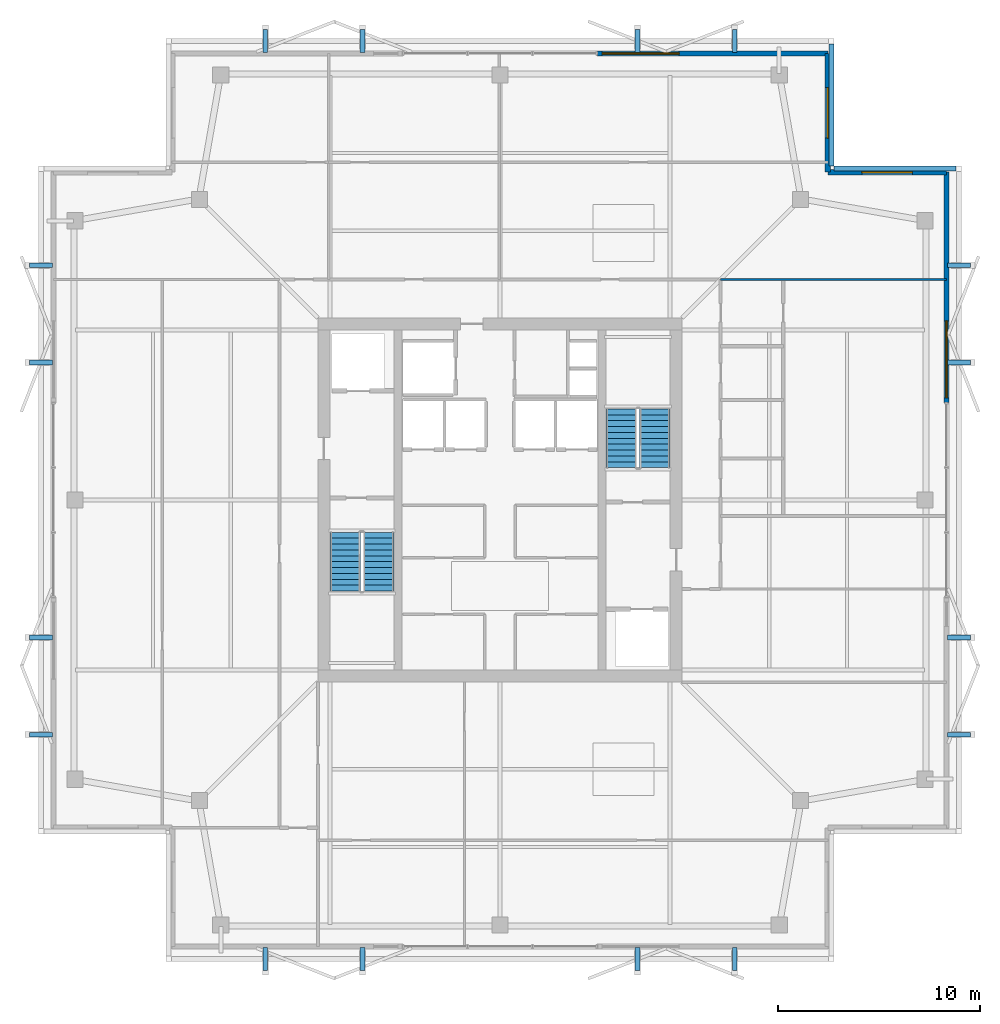
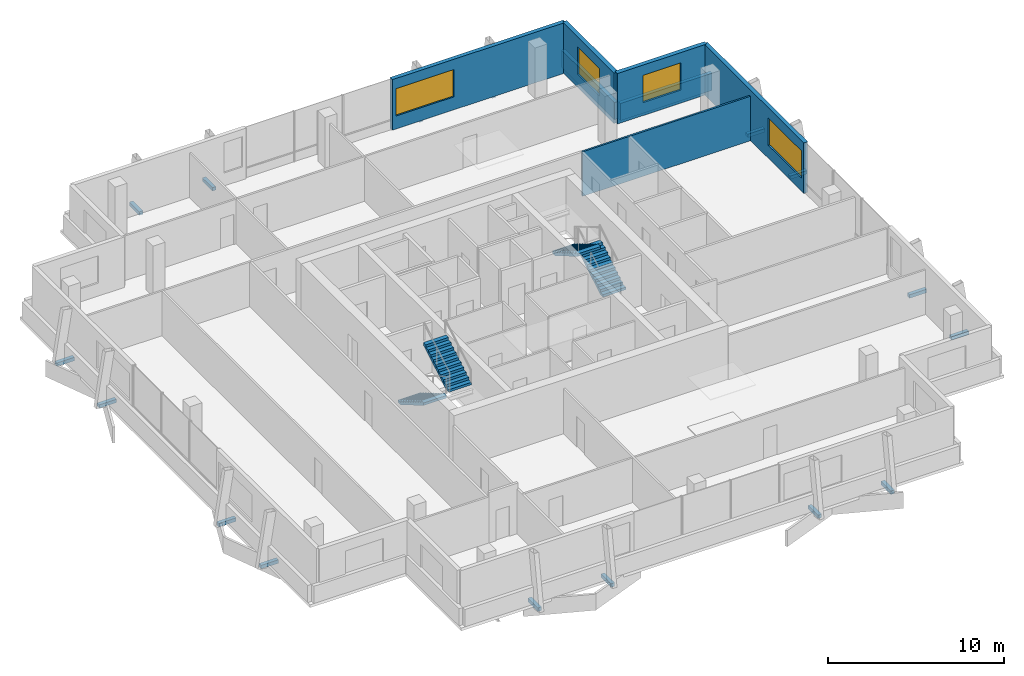
# One storey, part 16 of 17: 16 discrete accessories, 7 walls, 4 stair flights, 4 windows, 4 openings, 2 elements without a shape of their own.
"""IFC4 building model written with IfcOpenShell, lengths in metres."""

from ifc_helpers import new_model, si_unit, direction, frame, frame_2d, origin, origin_2d, place, context, subcontext, project, spatial, polyline, rectangle, outline, extrude, material, layer, layer_set, type_object, element, fill, aggregate, save


model = new_model("IFC4")

# Units and contexts
model_context = context("Model", 3, precision=1e-05, world=origin(), true_north=direction((0.0, 1.0)))
body_context = subcontext(model_context, "Body", "Model", "MODEL_VIEW")
ifc_project = project(units=[si_unit("LENGTHUNIT", "METRE"), si_unit("AREAUNIT", "SQUARE_METRE"), si_unit("VOLUMEUNIT", "CUBIC_METRE"), si_unit("PLANEANGLEUNIT", "RADIAN"), si_unit("MASSUNIT", "GRAM", prefix="KILO")], contexts=[model_context])

# Site, building, storey
site_placement = place(None, origin())
site = spatial("IfcSite", under=ifc_project, at=site_placement, CompositionType="ELEMENT")
building_placement = place(site_placement, origin())
building = spatial("IfcBuilding", under=site, at=building_placement, Name="Belovzor Exchange Tower", CompositionType="ELEMENT")
storey_placement = place(building_placement, frame((0.0, 0.0, 333.0)))
storey = spatial("IfcBuildingStorey", under=building, at=storey_placement, Name="L83", CompositionType="ELEMENT", Elevation=333.0)

# Wall
ifc_material_1 = material(Name="Acoustic Plasterboard on Galvanised Studs", Category="gypsum")
ifc_layer_1 = layer(ifc_material_1, 0.1201171875)
ifc_layer_set_1 = layer_set([ifc_layer_1], Name="Acoustic Plasterboard on Galvanised Studs")
wall_type_1 = type_object("IfcWallType", Name="Acoustic Double-Stud Partition Wall 120", PredefinedType="PARTITIONING", material=ifc_layer_set_1)
wall_1_placement = place(storey_placement, frame((39.699951171875, 39.699951171875, 0.0), z_axis=(0.0, 0.0, 1.0), x_axis=(1.0, 0.0, 0.0)))
element("IfcWall", 1, at=wall_1_placement, inside=storey, type_object=wall_type_1, Name="W-P120 Partition Wall W-L83-END-NE", PredefinedType="PARTITIONING", context=body_context, shape_type="SweptSolid", body=[
    extrude(rectangle(XDim=11.170166015625, YDim=0.1201171875, at=frame_2d((5.5849609375, 0.0))), origin(), (0.0, 0.0, 1.0), 3.094970703125),
])

# Wall, opening, window
ifc_material_2 = material(Name="Precast concrete C40/50", Category="concrete")
ifc_layer_2 = layer(ifc_material_2, 0.280029296875)
ifc_layer_set_2 = layer_set([ifc_layer_2], Name="Precast concrete C40/50")
wall_type_2 = type_object("IfcWallType", Name="Precast Concrete Notched Corner Frame Wall 280", PredefinedType="SOLIDWALL", material=ifc_layer_set_2)
wall_2_placement = place(storey_placement, frame((45.0, 50.8701171875, 0.0), z_axis=(0.0, 0.0, 1.0), x_axis=(0.0, -1.0, 0.0)))
wall_2 = element("IfcWall", 2, at=wall_2_placement, inside=storey, type_object=wall_type_2, Name="W-CRN280 Precast Concrete Notched Corner Frame Wall 280 L83", PredefinedType="SOLIDWALL", context=body_context, shape_type="SweptSolid", body=[
    extrude(rectangle(XDim=5.8701171875, YDim=0.280029296875, at=frame_2d((2.93505859375, 0.0))), origin(), (0.0, 0.0, 1.0), 3.510009765625),
])
opening_1_placement = place(wall_2_placement, frame((1.68505859375, 0.0, 0.89990234375)))
opening_1 = element("IfcOpeningElement", 3, at=opening_1_placement, cuts=wall_2, Name="Opening WN-CRN250", PredefinedType="OPENING", context=body_context, shape_type="SweptSolid", body=[
    extrude(rectangle(XDim=2.5, YDim=1.89990234375, at=frame_2d((1.25, 0.949951171875))), frame((0.0, 0.14990234375, 0.0), z_axis=(0.0, -1.0, 0.0), x_axis=(1.0, 0.0, 0.0)), (0.0, 0.0, 1.0), 0.300048828125),
])
ifc_material_3 = material(Name="Thermally Broken Aluminium and Triple Glazing", Category="aluminium")
window_type_1 = type_object("IfcWindowType", Name="Streamline Moderne Corner Wrap Ribbon Window 2500x1900", PartitioningType="SINGLE_PANEL", PredefinedType="WINDOW", material=ifc_material_3)
window_1_placement = place(opening_1_placement, origin())
window_1 = element("IfcWindow", 4, at=window_1_placement, inside=storey, type_object=window_type_1, Name="WN-CRN250 Streamline Moderne Corner Wrap Ribbon Window 2500x1900", OverallHeight=1.89990234375, OverallWidth=2.5, PartitioningType="SINGLE_PANEL", PredefinedType="WINDOW", context=body_context, shape_type="SweptSolid", body=[
    extrude(rectangle(XDim=2.5, YDim=1.89990234375, at=frame_2d((1.25, 0.949951171875))), frame((0.0, 0.030029296875, 0.0), z_axis=(0.0, -1.0, 0.0), x_axis=(1.0, 0.0, 0.0)), (0.0, 0.0, 1.0), 0.06005859375),
])
fill(opening_1, window_1)

wall_3_placement = place(storey_placement, frame((45.0, 45.0, 0.0), z_axis=(0.0, 0.0, 1.0), x_axis=(1.0, 0.0, 0.0)))
wall_3 = element("IfcWall", 5, at=wall_3_placement, inside=storey, type_object=wall_type_2, Name="W-CRN280 Precast Concrete Notched Corner Frame Wall 280 L83", PredefinedType="SOLIDWALL", context=body_context, shape_type="SweptSolid", body=[
    extrude(rectangle(XDim=5.8701171875, YDim=0.280029296875, at=frame_2d((2.93505859375, 0.0))), origin(), (0.0, 0.0, 1.0), 3.510009765625),
])
opening_2_placement = place(wall_3_placement, frame((1.68505859375, 0.0, 0.89990234375)))
opening_2 = element("IfcOpeningElement", 6, at=opening_2_placement, cuts=wall_3, Name="Opening WN-CRN250", PredefinedType="OPENING", context=body_context, shape_type="SweptSolid", body=[
    extrude(rectangle(XDim=2.5, YDim=1.89990234375, at=frame_2d((1.25, 0.949951171875))), frame((0.0, 0.14990234375, 0.0), z_axis=(0.0, -1.0, 0.0), x_axis=(1.0, 0.0, 0.0)), (0.0, 0.0, 1.0), 0.300048828125),
])
window_2_placement = place(opening_2_placement, origin())
window_2 = element("IfcWindow", 7, at=window_2_placement, inside=storey, type_object=window_type_1, Name="WN-CRN250 Streamline Moderne Corner Wrap Ribbon Window 2500x1900", OverallHeight=1.89990234375, OverallWidth=2.5, PartitioningType="SINGLE_PANEL", PredefinedType="WINDOW", context=body_context, shape_type="SweptSolid", body=[
    extrude(rectangle(XDim=2.5, YDim=1.89990234375, at=frame_2d((1.25, 0.949951171875))), frame((0.0, 0.030029296875, 0.0), z_axis=(0.0, -1.0, 0.0), x_axis=(1.0, 0.0, 0.0)), (0.0, 0.0, 1.0), 0.06005859375),
])
fill(opening_2, window_2)

ifc_material_4 = material(Name="Precast concrete C40/50", Category="concrete")
ifc_layer_3 = layer(ifc_material_4, 0.260009765625)
ifc_layer_set_3 = layer_set([ifc_layer_3], Name="Precast concrete C40/50")
wall_type_3 = type_object("IfcWallType", Name="Precast Concrete Perimeter Loggia Frame Wall 260", PredefinedType="SOLIDWALL", material=ifc_layer_set_3)
wall_4_placement = place(storey_placement, frame((33.60009765625, 50.8701171875, 0.0), z_axis=(0.0, 0.0, 1.0), x_axis=(1.0, 0.0, 0.0)))
wall_4 = element("IfcWall", 8, at=wall_4_placement, inside=storey, type_object=wall_type_3, Name="W-EXT260 Precast Concrete Perimeter Loggia Frame Wall 260 L83", PredefinedType="SOLIDWALL", context=body_context, shape_type="SweptSolid", body=[
    extrude(rectangle(XDim=11.39990234375, YDim=0.260009765625, at=frame_2d((5.699951171875, 0.0))), origin(), (0.0, 0.0, 1.0), 3.510009765625),
])
opening_3_placement = place(wall_4_placement, frame((0.25, 0.0, 0.89990234375)))
opening_3 = element("IfcOpeningElement", 9, at=opening_3_placement, cuts=wall_4, Name="Opening WN-RIB380", PredefinedType="OPENING", context=body_context, shape_type="SweptSolid", body=[
    extrude(rectangle(XDim=3.800048828125, YDim=1.89990234375, at=frame_2d((1.89990234375, 0.949951171875))), frame((0.0, 0.139892578125, 0.0), z_axis=(0.0, -1.0, 0.0), x_axis=(1.0, 0.0, 0.0)), (0.0, 0.0, 1.0), 0.280029296875),
])
ifc_material_5 = material(Name="Thermally Broken Aluminium and Triple Glazing", Category="aluminium")
window_type_2 = type_object("IfcWindowType", Name="Streamline Moderne Horizontal Ribbon Window 3800x1900", PartitioningType="SINGLE_PANEL", PredefinedType="WINDOW", material=ifc_material_5)
window_3_placement = place(opening_3_placement, origin())
window_3 = element("IfcWindow", 10, at=window_3_placement, inside=storey, type_object=window_type_2, Name="WN-RIB380 Streamline Moderne Horizontal Ribbon Window 3800x1900", OverallHeight=1.89990234375, OverallWidth=3.800048828125, PartitioningType="SINGLE_PANEL", PredefinedType="WINDOW", context=body_context, shape_type="SweptSolid", body=[
    extrude(rectangle(XDim=3.800048828125, YDim=1.89990234375, at=frame_2d((1.89990234375, 0.949951171875))), frame((0.0, 0.030029296875, 0.0), z_axis=(0.0, -1.0, 0.0), x_axis=(1.0, 0.0, 0.0)), (0.0, 0.0, 1.0), 0.06005859375),
])
fill(opening_3, window_3)

wall_5_placement = place(storey_placement, frame((50.8701171875, 45.0, 0.0), z_axis=(0.0, 0.0, 1.0), x_axis=(0.0, -1.0, 0.0)))
wall_5 = element("IfcWall", 11, at=wall_5_placement, inside=storey, type_object=wall_type_3, Name="W-EXT260 Precast Concrete Perimeter Loggia Frame Wall 260 L83", PredefinedType="SOLIDWALL", context=body_context, shape_type="SweptSolid", body=[
    extrude(rectangle(XDim=11.39990234375, YDim=0.260009765625, at=frame_2d((5.699951171875, 0.0))), origin(), (0.0, 0.0, 1.0), 3.510009765625),
])
opening_4_placement = place(wall_5_placement, frame((7.35009765625, 0.0, 0.89990234375)))
opening_4 = element("IfcOpeningElement", 12, at=opening_4_placement, cuts=wall_5, Name="Opening WN-RIB380", PredefinedType="OPENING", context=body_context, shape_type="SweptSolid", body=[
    extrude(rectangle(XDim=3.800048828125, YDim=1.89990234375, at=frame_2d((1.89990234375, 0.949951171875))), frame((0.0, 0.139892578125, 0.0), z_axis=(0.0, -1.0, 0.0), x_axis=(1.0, 0.0, 0.0)), (0.0, 0.0, 1.0), 0.280029296875),
])
window_4_placement = place(opening_4_placement, origin())
window_4 = element("IfcWindow", 13, at=window_4_placement, inside=storey, type_object=window_type_2, Name="WN-RIB380 Streamline Moderne Horizontal Ribbon Window 3800x1900", OverallHeight=1.89990234375, OverallWidth=3.800048828125, PartitioningType="SINGLE_PANEL", PredefinedType="WINDOW", context=body_context, shape_type="SweptSolid", body=[
    extrude(rectangle(XDim=3.800048828125, YDim=1.89990234375, at=frame_2d((1.89990234375, 0.949951171875))), frame((0.0, 0.030029296875, 0.0), z_axis=(0.0, -1.0, 0.0), x_axis=(1.0, 0.0, 0.0)), (0.0, 0.0, 1.0), 0.06005859375),
])
fill(opening_4, window_4)

# Walls
ifc_material_6 = material(Name="Precast concrete C40/50", Category="concrete")
ifc_layer_4 = layer(ifc_material_6, 0.239990234375)
ifc_layer_set_4 = layer_set([ifc_layer_4], Name="Precast concrete C40/50")
wall_type_4 = type_object("IfcWallType", Name="Precast Stone Setback Roof Parapet Wall 240", PredefinedType="PARAPET", material=ifc_layer_set_4)
for number, where, z_axis, x_axis, name in (
    (14, (51.344970703125, 45.179931640625, 0.0), (0.0, 0.0, 1.0), (-1.0, 0.0, 0.0), "W-PAR240 Precast Stone Setback Roof Parapet Wall 240 L83"),
    (15, (45.179931640625, 45.31494140625, 0.0), (0.0, 0.0, 1.0), (0.0, 1.0, 0.0), "W-PAR240 Precast Stone Setback Roof Parapet Wall 240 L83"),
):
    element("IfcWall", number, at=place(storey_placement, frame(where, z_axis=z_axis, x_axis=x_axis)), inside=storey, type_object=wall_type_4, Name=name, PredefinedType="PARAPET", context=body_context, shape_type="SweptSolid", body=[
        extrude(rectangle(XDim=6.030029296875, YDim=0.239990234375, at=frame_2d((3.01513671875, 0.0))), origin(), (0.0, 0.0, 1.0), 1.199951171875),
    ])

# Stair, stair flights
ifc_material_7 = material(Name="Concrete C40/50", Category="concrete")
stair_type = type_object("IfcStairType", Name="Reinforced Concrete Dogleg Escape Stair 1350", PredefinedType="HALF_TURN_STAIR", material=ifc_material_7)
stair_1_placement = place(storey_placement, origin())
stair_1 = element("IfcStair", 16, at=stair_1_placement, inside=storey, type_object=stair_type, Name="L83 ST-1", PredefinedType="HALF_TURN_STAIR")
ifc_material_8 = material(Name="Concrete C40/50", Category="concrete")
stair_flight_type = type_object("IfcStairFlightType", Name="Reinforced Concrete Stair Flight 1350", PredefinedType="STRAIGHT", material=ifc_material_8)
stair_flight_1_placement = place(storey_placement, frame((21.14990234375, 27.199951171875, 0.0), z_axis=(0.0, 0.0, 1.0), x_axis=(0.0, -1.0, 0.0)))
stair_flight_1 = element("IfcStairFlight", 17, at=stair_flight_1_placement, type_object=stair_flight_type, Name="ST-1 flight 1", NumberOfRisers=11, NumberOfTreads=10, PredefinedType="STRAIGHT", RiserHeight=0.170454545, TreadLength=0.29, context=body_context, shape_type="SweptSolid", body=[
    extrude(outline(polyline([(0.0, 0.0), (0.0, 0.17041015625), (0.2900390625, 0.17041015625), (0.2900390625, 0.3408203125), (0.580078125, 0.3408203125), (0.580078125, 0.511474609375), (0.8701171875, 0.511474609375), (0.8701171875, 0.681884765625), (1.159912109375, 0.681884765625), (1.159912109375, 0.852294921875), (1.449951171875, 0.852294921875), (1.449951171875, 1.022705078125), (1.739990234375, 1.022705078125), (1.739990234375, 1.193115234375), (2.030029296875, 1.193115234375), (2.030029296875, 1.363525390625), (2.320068359375, 1.363525390625), (2.320068359375, 1.5341796875), (2.610107421875, 1.5341796875), (2.610107421875, 1.70458984375), (2.89990234375, 1.70458984375), (2.89990234375, 1.875), (2.89990234375, 1.53076171875), (0.2958984375, 0.0), (0.0, 0.0)])), frame((0.0, 0.75, 0.0), z_axis=(0.0, -1.0, 0.0), x_axis=(1.0, 0.0, 0.0)), (0.0, 0.0, 1.0), 1.5),
])
stair_flight_2_placement = place(storey_placement, frame((22.800048828125, 24.300048828125, 1.875), z_axis=(0.0, 0.0, 1.0), x_axis=(0.0, 1.0, 0.0)))
stair_flight_2 = element("IfcStairFlight", 18, at=stair_flight_2_placement, type_object=stair_flight_type, Name="ST-1 flight 2", NumberOfRisers=11, NumberOfTreads=10, PredefinedType="STRAIGHT", RiserHeight=0.170454545, TreadLength=0.29, context=body_context, shape_type="SweptSolid", body=[
    extrude(outline(polyline([(0.0, 0.0), (0.0, 0.17041015625), (0.2900390625, 0.17041015625), (0.2900390625, 0.3408203125), (0.580078125, 0.3408203125), (0.580078125, 0.511474609375), (0.8701171875, 0.511474609375), (0.8701171875, 0.681884765625), (1.159912109375, 0.681884765625), (1.159912109375, 0.852294921875), (1.449951171875, 0.852294921875), (1.449951171875, 1.022705078125), (1.739990234375, 1.022705078125), (1.739990234375, 1.193115234375), (2.030029296875, 1.193115234375), (2.030029296875, 1.363525390625), (2.320068359375, 1.363525390625), (2.320068359375, 1.5341796875), (2.610107421875, 1.5341796875), (2.610107421875, 1.70458984375), (2.89990234375, 1.70458984375), (2.89990234375, 1.875), (2.89990234375, 1.53076171875), (0.2958984375, 0.0), (0.0, 0.0)])), frame((0.0, 0.75, 0.0), z_axis=(0.0, -1.0, 0.0), x_axis=(1.0, 0.0, 0.0)), (0.0, 0.0, 1.0), 1.5),
])
aggregate(stair_1, [stair_flight_1, stair_flight_2])

stair_2_placement = place(storey_placement, origin())
stair_2 = element("IfcStair", 19, at=stair_2_placement, inside=storey, type_object=stair_type, Name="L83 ST-2", PredefinedType="HALF_TURN_STAIR")
stair_flight_3_placement = place(storey_placement, frame((36.449951171875, 30.39990234375, 0.0), z_axis=(0.0, 0.0, 1.0), x_axis=(0.0, 1.0, 0.0)))
stair_flight_3 = element("IfcStairFlight", 20, at=stair_flight_3_placement, type_object=stair_flight_type, Name="ST-2 flight 1", NumberOfRisers=11, NumberOfTreads=10, PredefinedType="STRAIGHT", RiserHeight=0.170454545, TreadLength=0.29, context=body_context, shape_type="SweptSolid", body=[
    extrude(outline(polyline([(0.0, 0.0), (0.0, 0.17041015625), (0.2900390625, 0.17041015625), (0.2900390625, 0.3408203125), (0.580078125, 0.3408203125), (0.580078125, 0.511474609375), (0.8701171875, 0.511474609375), (0.8701171875, 0.681884765625), (1.159912109375, 0.681884765625), (1.159912109375, 0.852294921875), (1.449951171875, 0.852294921875), (1.449951171875, 1.022705078125), (1.739990234375, 1.022705078125), (1.739990234375, 1.193115234375), (2.030029296875, 1.193115234375), (2.030029296875, 1.363525390625), (2.320068359375, 1.363525390625), (2.320068359375, 1.5341796875), (2.610107421875, 1.5341796875), (2.610107421875, 1.70458984375), (2.89990234375, 1.70458984375), (2.89990234375, 1.875), (2.89990234375, 1.53076171875), (0.2958984375, 0.0), (0.0, 0.0)])), frame((0.0, 0.75, 0.0), z_axis=(0.0, -1.0, 0.0), x_axis=(1.0, 0.0, 0.0)), (0.0, 0.0, 1.0), 1.5),
])
stair_flight_4_placement = place(storey_placement, frame((34.800048828125, 33.300048828125, 1.875), z_axis=(0.0, 0.0, 1.0), x_axis=(0.0, -1.0, 0.0)))
stair_flight_4 = element("IfcStairFlight", 21, at=stair_flight_4_placement, type_object=stair_flight_type, Name="ST-2 flight 2", NumberOfRisers=11, NumberOfTreads=10, PredefinedType="STRAIGHT", RiserHeight=0.170454545, TreadLength=0.29, context=body_context, shape_type="SweptSolid", body=[
    extrude(outline(polyline([(0.0, 0.0), (0.0, 0.17041015625), (0.2900390625, 0.17041015625), (0.2900390625, 0.3408203125), (0.580078125, 0.3408203125), (0.580078125, 0.511474609375), (0.8701171875, 0.511474609375), (0.8701171875, 0.681884765625), (1.159912109375, 0.681884765625), (1.159912109375, 0.852294921875), (1.449951171875, 0.852294921875), (1.449951171875, 1.022705078125), (1.739990234375, 1.022705078125), (1.739990234375, 1.193115234375), (2.030029296875, 1.193115234375), (2.030029296875, 1.363525390625), (2.320068359375, 1.363525390625), (2.320068359375, 1.5341796875), (2.610107421875, 1.5341796875), (2.610107421875, 1.70458984375), (2.89990234375, 1.70458984375), (2.89990234375, 1.875), (2.89990234375, 1.53076171875), (0.2958984375, 0.0), (0.0, 0.0)])), frame((0.0, 0.75, 0.0), z_axis=(0.0, -1.0, 0.0), x_axis=(1.0, 0.0, 0.0)), (0.0, 0.0, 1.0), 1.5),
])
aggregate(stair_2, [stair_flight_3, stair_flight_4])

# Discrete accessories
ifc_material_9 = material(Name="Stainless Steel Grade 316", Category="steel")
ifc_layer_5 = layer(ifc_material_9, 0.179931640625)
ifc_layer_set_5 = layer_set([ifc_layer_5], Name="Stainless Steel Grade 316")
discrete_accessory_type = type_object("IfcDiscreteAccessoryType", Name="Stainless Steel Facade Outrigger Fixing Bracket", PredefinedType="BRACKET", material=ifc_layer_set_5)
for number, where, z_axis, x_axis, name in (
    (22, (17.199951171875, 6.112060546875, -0.240234375), (0.0, 0.0, 1.0), (0.0, 1.0, 0.0), "BRK-FIN1 Sweeping Fin Outrigger Bracket L83 S1"),
    (23, (17.199951171875, 51.487060546875, -0.240234375), (0.0, 0.0, 1.0), (0.0, 1.0, 0.0), "BRK-FIN1 Sweeping Fin Outrigger Bracket L83 N1"),
    (24, (6.112060546875, 17.199951171875, -0.240234375), (0.0, 0.0, 1.0), (1.0, 0.0, 0.0), "BRK-FIN1 Sweeping Fin Outrigger Bracket L83 W1"),
    (25, (51.487060546875, 17.199951171875, -0.240234375), (0.0, 0.0, 1.0), (1.0, 0.0, 0.0), "BRK-FIN1 Sweeping Fin Outrigger Bracket L83 E1"),
    (26, (22.0, 6.112060546875, -0.240234375), (0.0, 0.0, 1.0), (0.0, 1.0, 0.0), "BRK-FIN1 Sweeping Fin Outrigger Bracket L83 S2"),
    (27, (22.0, 51.487060546875, -0.240234375), (0.0, 0.0, 1.0), (0.0, 1.0, 0.0), "BRK-FIN1 Sweeping Fin Outrigger Bracket L83 N2"),
    (28, (6.112060546875, 22.0, -0.240234375), (0.0, 0.0, 1.0), (1.0, 0.0, 0.0), "BRK-FIN1 Sweeping Fin Outrigger Bracket L83 W2"),
    (29, (51.487060546875, 22.0, -0.240234375), (0.0, 0.0, 1.0), (1.0, 0.0, 0.0), "BRK-FIN1 Sweeping Fin Outrigger Bracket L83 E2"),
    (30, (35.60009765625, 6.112060546875, -0.240234375), (0.0, 0.0, 1.0), (0.0, 1.0, 0.0), "BRK-FIN1 Sweeping Fin Outrigger Bracket L83 S3"),
    (31, (35.60009765625, 51.487060546875, -0.240234375), (0.0, 0.0, 1.0), (0.0, 1.0, 0.0), "BRK-FIN1 Sweeping Fin Outrigger Bracket L83 N3"),
    (32, (6.112060546875, 35.60009765625, -0.240234375), (0.0, 0.0, 1.0), (1.0, 0.0, 0.0), "BRK-FIN1 Sweeping Fin Outrigger Bracket L83 W3"),
    (33, (51.487060546875, 35.60009765625, -0.240234375), (0.0, 0.0, 1.0), (1.0, 0.0, 0.0), "BRK-FIN1 Sweeping Fin Outrigger Bracket L83 E3"),
    (34, (40.39990234375, 6.112060546875, -0.240234375), (0.0, 0.0, 1.0), (0.0, 1.0, 0.0), "BRK-FIN1 Sweeping Fin Outrigger Bracket L83 S4"),
    (35, (40.39990234375, 51.487060546875, -0.240234375), (0.0, 0.0, 1.0), (0.0, 1.0, 0.0), "BRK-FIN1 Sweeping Fin Outrigger Bracket L83 N4"),
    (36, (6.112060546875, 40.39990234375, -0.240234375), (0.0, 0.0, 1.0), (1.0, 0.0, 0.0), "BRK-FIN1 Sweeping Fin Outrigger Bracket L83 W4"),
    (37, (51.487060546875, 40.39990234375, -0.240234375), (0.0, 0.0, 1.0), (1.0, 0.0, 0.0), "BRK-FIN1 Sweeping Fin Outrigger Bracket L83 E4"),
):
    element("IfcDiscreteAccessory", number, at=place(storey_placement, frame(where, z_axis=z_axis, x_axis=x_axis)), inside=storey, type_object=discrete_accessory_type, Name=name, PredefinedType="BRACKET", context=body_context, shape_type="SweptSolid", body=[
        extrude(rectangle(XDim=1.135009765625, YDim=0.239990234375, at=origin_2d()), origin(), (0.0, 0.0, 1.0), 0.239990234375),
    ])

save(model, "model.ifc")
